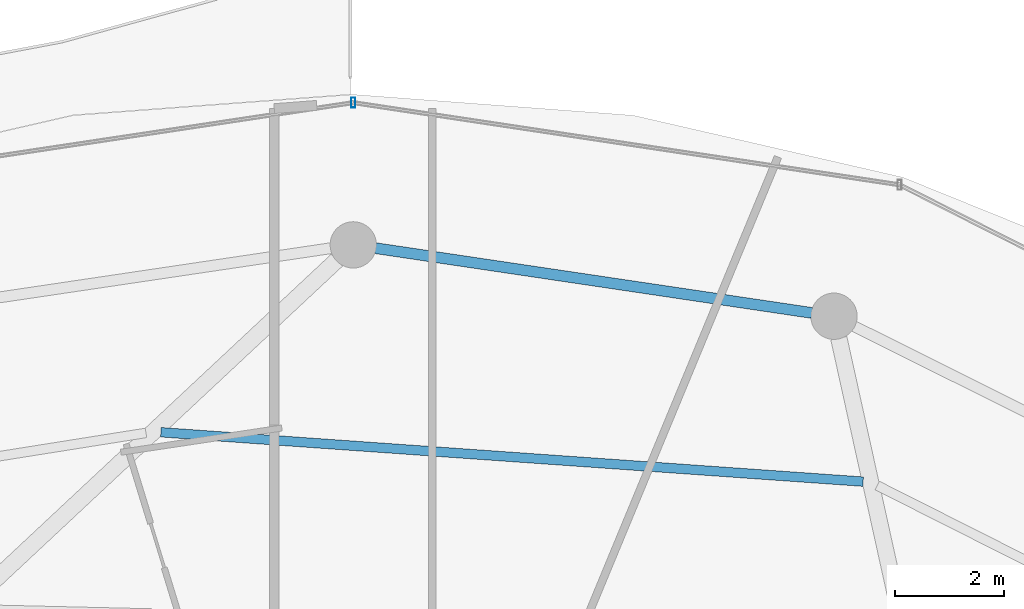
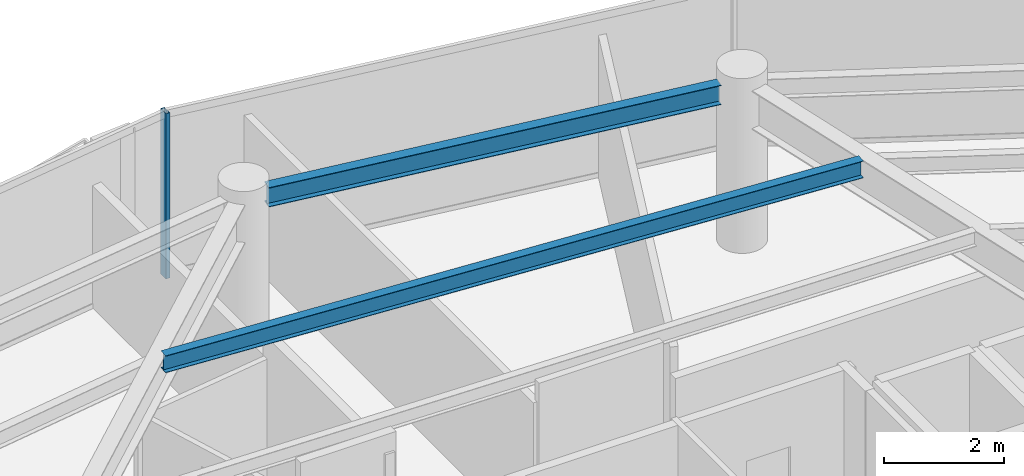
# One storey, part 18 of 30: 2 beams, 1 member, 1 element without a shape of its own.
"""IFC4 building model written with IfcOpenShell, lengths in metres."""

import ifcopenshell
import ifcopenshell.guid

model = None  # the IFC model being written
_history = None  # IfcOwnerHistory: only IFC2X3 demands one
_inside = {}  # id of a spatial element -> (the spatial element, [elements in it])
_under = {}  # id of a project, library or spatial element -> (it, [spatial elements below it])
_declared = {}  # id of a project -> (the project, [libraries it declares])
_typed = {}  # id of a type object -> (the type object, [elements of that type])
_made_of = {}  # id of a material, layer set ... -> (it, [elements and type objects made of it])


def new_model(schema):
    """Start an empty IFC model of exactly this schema.

    Asked for "IFC4X3", IfcOpenShell would pick the latest addendum, in which some entities
    have other attributes; the version numbers below select the first issue.
    IFC2X3 requires an IfcOwnerHistory on every rooted entity: one is made here for all.
    """
    global model, _history
    if schema == "IFC4X3":
        model = ifcopenshell.file(schema_version=(4, 3, 0, 0))
    else:
        model = ifcopenshell.file(schema=schema)
    _inside.clear()
    _under.clear()
    _declared.clear()
    _typed.clear()
    _made_of.clear()
    _history = None
    if model.schema == "IFC2X3":
        org = make("IfcOrganization", Name="unknown")
        user = make(
            "IfcPersonAndOrganization",
            ThePerson=make("IfcPerson", FamilyName="unknown"),
            TheOrganization=org,
        )
        app = make(
            "IfcApplication",
            ApplicationDeveloper=org,
            Version="unknown",
            ApplicationFullName="unknown",
            ApplicationIdentifier="unknown",
        )
        _history = make(
            "IfcOwnerHistory",
            OwningUser=user,
            OwningApplication=app,
            ChangeAction="ADDED",
            CreationDate=0,
        )
    return model


def make(cls, **values):
    """One entity of the class cls with the attributes given. An attribute that is None is left unset."""
    return model.create_entity(
        cls, **{name: value for name, value in values.items() if value is not None}
    )


def rooted(cls, **values):
    """An entity with a GlobalId (a new one), such as an element, a storey or a relation."""
    return make(cls, GlobalId=ifcopenshell.guid.new(), OwnerHistory=_history, **values)


def si_unit(unit_type, name, prefix=None):
    """IfcSIUnit, for example si_unit("LENGTHUNIT", "METRE", prefix="MILLI")."""
    return make("IfcSIUnit", UnitType=unit_type, Prefix=prefix, Name=name)


def assignment(units):
    """IfcUnitAssignment: the units of a project."""
    return None if units is None else make("IfcUnitAssignment", Units=units)


def point(xyz):
    """IfcCartesianPoint."""
    return None if xyz is None else make("IfcCartesianPoint", Coordinates=xyz)


def direction(xyz):
    """IfcDirection."""
    return None if xyz is None else make("IfcDirection", DirectionRatios=xyz)


def frame(location, z_axis=None, x_axis=None):
    """IfcAxis2Placement3D, a coordinate frame: its origin and axes. An axis left out is left unset."""
    return make(
        "IfcAxis2Placement3D",
        Location=point(location),
        Axis=direction(z_axis),
        RefDirection=direction(x_axis),
    )


def frame_2d(location, x_axis=None):
    """IfcAxis2Placement2D, a coordinate frame in the plane: its origin and x axis."""
    return make(
        "IfcAxis2Placement2D", Location=point(location), RefDirection=direction(x_axis)
    )


def origin():
    """The frame at (0, 0, 0) with its axes left unset."""
    return frame((0.0, 0.0, 0.0))


def origin_2d():
    """The frame at (0, 0) in the plane with its x axis left unset."""
    return frame_2d((0.0, 0.0))


def place(relative_to, where):
    """IfcLocalPlacement: puts the frame where relative to a parent placement (None: the world)."""
    return make(
        "IfcLocalPlacement", PlacementRelTo=relative_to, RelativePlacement=where
    )


def context(
    kind, dimensions, precision=None, world=None, true_north=None, identifier=None
):
    """IfcGeometricRepresentationContext, for example the 3D "Model" context."""
    return make(
        "IfcGeometricRepresentationContext",
        ContextIdentifier=identifier,
        ContextType=kind,
        CoordinateSpaceDimension=dimensions,
        Precision=precision,
        WorldCoordinateSystem=world,
        TrueNorth=true_north,
    )


def subcontext(parent, identifier, kind, view, scale=None):
    """IfcGeometricRepresentationSubContext, for example "Body" below "Model"."""
    return make(
        "IfcGeometricRepresentationSubContext",
        ContextIdentifier=identifier,
        ContextType=kind,
        ParentContext=parent,
        TargetScale=scale,
        TargetView=view,
    )


def project(units=None, contexts=None):
    """IfcProject with its units and contexts."""
    return rooted(
        "IfcProject",
        Name="project",
        RepresentationContexts=contexts,
        UnitsInContext=assignment(units),
    )


def spatial(cls, under=None, at=None, **own):
    """A site, building, storey or space (cls), placed at a placement, below another one or the project."""
    s = rooted(cls, ObjectPlacement=at, **own)
    if under is not None:
        _under.setdefault(under.id(), (under, []))[1].append(s)
    return s


def profile(cls, at=None, kind="AREA", **sizes):
    """A parametric profile (cls). Its sizes go by their IFC names, for example OverallWidth=200.0."""
    return make(cls, ProfileType=kind, Position=at, **sizes)


def hollow_rectangle(**sizes):
    """IfcRectangleHollowProfileDef."""
    return profile("IfcRectangleHollowProfileDef", **sizes)


def i_section(**sizes):
    """IfcIShapeProfileDef."""
    return profile("IfcIShapeProfileDef", **sizes)


def extrude(swept, where, along, depth):
    """IfcExtrudedAreaSolid: the profile swept, set in the frame where, extruded along a direction by depth."""
    return make(
        "IfcExtrudedAreaSolid",
        SweptArea=swept,
        Position=where,
        ExtrudedDirection=direction(along),
        Depth=depth,
    )


def shape(context_of_items, identifier, shape_type, items):
    """IfcShapeRepresentation: the items that make up one representation, for example the "Body"."""
    return make(
        "IfcShapeRepresentation",
        ContextOfItems=context_of_items,
        RepresentationIdentifier=identifier,
        RepresentationType=shape_type,
        Items=items,
    )


def material(Name=None, Category=None):
    """IfcMaterial."""
    return make("IfcMaterial", Name=Name, Category=Category)


def material_profile(
    of_material, cross_section, Name=None, Category=None, Priority=None
):
    """IfcMaterialProfile: a cross section and its material."""
    return make(
        "IfcMaterialProfile",
        Name=Name,
        Material=of_material,
        Profile=cross_section,
        Priority=Priority,
        Category=Category,
    )


def profile_set(profiles, Name=None, composite=None):
    """IfcMaterialProfileSet."""
    return make(
        "IfcMaterialProfileSet",
        Name=Name,
        MaterialProfiles=profiles,
        CompositeProfile=composite,
    )


def made_of(thing, what):
    """Note that an element or type object is made of a material, layer set ...; save() writes the relation."""
    if what is not None:
        _made_of.setdefault(what.id(), (what, []))[1].append(thing)
    return thing


def type_object(cls, material=None, **own):
    """A type object (cls), such as IfcWallType, which elements share."""
    return made_of(rooted(cls, **own), material)


def element(
    cls,
    number,
    at=None,
    inside=None,
    cuts=None,
    type_object=None,
    material=None,
    context=None,
    identifier="Body",
    shape_type=None,
    held_by="IfcProductDefinitionShape",
    body=None,
    shapes=None,
    **own,
):
    """One element of the class cls, such as IfcWall. Its Tag is "e" and its number.

    at: its placement. inside: the storey or other place that contains it. cuts: it is an
    opening in that element (IfcRelVoidsElement). A single representation is given by context,
    identifier, shape_type and body (its items); several are given by shapes. held_by: the class
    of the entity that holds the representations. save() writes the other relations.
    """
    e = rooted(cls, Tag="e%d" % number, ObjectPlacement=at, **own)
    if body is not None:
        shapes = [shape(context, identifier, shape_type, body)]
    if shapes is not None:
        e.Representation = make(held_by, Representations=shapes)
    if inside is not None:
        _inside.setdefault(inside.id(), (inside, []))[1].append(e)
    if cuts is not None:
        rooted(
            "IfcRelVoidsElement", RelatingBuildingElement=cuts, RelatedOpeningElement=e
        )
    if type_object is not None:
        _typed.setdefault(type_object.id(), (type_object, []))[1].append(e)
    return made_of(e, material)


def aggregate(whole, parts):
    """IfcRelAggregates: a whole, such as a stair, and the parts it consists of."""
    return rooted("IfcRelAggregates", RelatingObject=whole, RelatedObjects=parts)


def save(model, path):
    """Write the relations noted so far, then the file.

    IfcRelAggregates (storeys below a building ...), IfcRelContainedInSpatialStructure (elements
    in a storey), IfcRelDefinesByType, IfcRelAssociatesMaterial and IfcRelDeclares: one each for
    every whole, place, type object, material and project.
    """
    for whole, parts in _under.values():
        aggregate(whole, parts)
    for where, things in _inside.values():
        rooted(
            "IfcRelContainedInSpatialStructure",
            RelatedElements=things,
            RelatingStructure=where,
        )
    for kind, things in _typed.values():
        rooted("IfcRelDefinesByType", RelatedObjects=things, RelatingType=kind)
    for what, things in _made_of.values():
        rooted("IfcRelAssociatesMaterial", RelatedObjects=things, RelatingMaterial=what)
    for by, libraries in _declared.values():
        rooted("IfcRelDeclares", RelatingContext=by, RelatedDefinitions=libraries)
    model.write(path)


model = new_model("IFC4")

# Units and contexts
model_context = context("Model", 3, precision=1e-05, world=origin(), true_north=direction((0.0, 1.0)))
body_context = subcontext(model_context, "Body", "Model", "MODEL_VIEW")
ifc_project = project(units=[si_unit("LENGTHUNIT", "METRE"), si_unit("AREAUNIT", "SQUARE_METRE"), si_unit("VOLUMEUNIT", "CUBIC_METRE"), si_unit("PLANEANGLEUNIT", "RADIAN"), si_unit("MASSUNIT", "GRAM", prefix="KILO")], contexts=[model_context])

# Site, building, storey
site_placement = place(None, origin())
site = spatial("IfcSite", under=ifc_project, at=site_placement, CompositionType="ELEMENT")
building_placement = place(site_placement, origin())
building = spatial("IfcBuilding", under=site, at=building_placement, Name="Vorneva Point Tower", CompositionType="ELEMENT")
storey_placement = place(building_placement, frame((0.0, 0.0, 234.25)))
storey = spatial("IfcBuildingStorey", under=building, at=storey_placement, Name="L63", CompositionType="ELEMENT", Elevation=234.25)

# Beams
ifc_material_1 = material(Name="Steel S355", Category="steel")
ifc_material_profile_1 = material_profile(ifc_material_1, i_section(OverallWidth=0.174072265625, OverallDepth=0.345947265625, WebThickness=0.006103515625, FlangeThickness=0.009033203125, at=origin_2d()), Name="35B1")
ifc_profile_set_1 = profile_set([ifc_material_profile_1], Name="Steel S355")
beam_type_1 = type_object("IfcBeamType", Name="BM-SEC-35B1", PredefinedType="BEAM", material=ifc_profile_set_1)
beam_1_placement = place(storey_placement, frame((47.355224609375, 38.855224609375, 3.116943359375), z_axis=(-0.997535819592, 0.07015902388, 0.0), x_axis=(-0.07015902388, -0.997535819592, 0.0)))
element("IfcBeam", 1, at=beam_1_placement, inside=storey, type_object=beam_type_1, Name="L63 Secondary Floor Beam 1.04", PredefinedType="BEAM", context=body_context, shape_type="SweptSolid", body=[
    extrude(i_section(OverallWidth=0.174072265625, OverallDepth=0.345947265625, WebThickness=0.006103515625, FlangeThickness=0.009033203125, at=origin_2d()), origin(), (0.0, 0.0, 1.0), 12.9169921875),
])
ifc_material_profile_2 = material_profile(ifc_material_1, i_section(OverallWidth=0.198974609375, OverallDepth=0.39599609375, WebThickness=0.007080078125, FlangeThickness=0.010986328125, at=origin_2d()), Name="40B1")
ifc_profile_set_2 = profile_set([ifc_material_profile_2], Name="Steel S355")
beam_type_2 = type_object("IfcBeamType", Name="BM-SPN-40B1", PredefinedType="SPANDREL", material=ifc_profile_set_2)
beam_2_placement = place(storey_placement, frame((46.415283203125, 41.950927734375, 3.092041015625), z_axis=(-0.989161657331, 0.146830567886, 0.0), x_axis=(-0.146830567886, -0.989161657331, 0.0)))
element("IfcBeam", 2, at=beam_2_placement, inside=storey, type_object=beam_type_2, Name="L63 Perimeter Spandrel Ring Beam 04", PredefinedType="SPANDREL", context=body_context, shape_type="SweptSolid", body=[
    extrude(i_section(OverallWidth=0.198974609375, OverallDepth=0.39599609375, WebThickness=0.007080078125, FlangeThickness=0.010986328125, at=origin_2d()), origin(), (0.0, 0.0, 1.0), 8.097412109375),
])

# Curtain wall, member
ifc_material_2 = material(Name="Pale anodised aluminium", Category="aluminium")
curtain_wall_type = type_object("IfcCurtainWallType", Name="CW-RES-SYS", PredefinedType="NOTDEFINED", material=ifc_material_2)
curtain_wall_placement = place(storey_placement, origin())
curtain_wall = element("IfcCurtainWall", 3, at=curtain_wall_placement, inside=storey, type_object=curtain_wall_type, Name="L63 Unitised Curtain Wall CW-L63-R02", PredefinedType="NOTDEFINED")
ifc_material_profile_3 = material_profile(ifc_material_2, hollow_rectangle(XDim=0.074951171875, YDim=0.179931640625, WallThickness=0.00390625, at=origin_2d()), Name="AL-MUL 180x75x4")
ifc_profile_set_3 = profile_set([ifc_material_profile_3], Name="Pale anodised aluminium")
member_type = type_object("IfcMemberType", Name="CW-MUL-180", PredefinedType="MULLION", material=ifc_profile_set_3)
member_placement = place(storey_placement, frame((38.0, 45.81005859375, -0.0400390625), z_axis=(0.0, 0.0, 1.0), x_axis=(1.0, 0.0, 0.0)))
member = element("IfcMember", 4, at=member_placement, type_object=member_type, Name="CW-L63-R02 Mullion 03", PredefinedType="MULLION", context=body_context, shape_type="SweptSolid", body=[
    extrude(hollow_rectangle(XDim=0.074951171875, YDim=0.179931640625, WallThickness=0.00390625, at=origin_2d()), origin(), (0.0, 0.0, 1.0), 3.360107421875),
])
aggregate(curtain_wall, [member])

save(model, "model.ifc")
